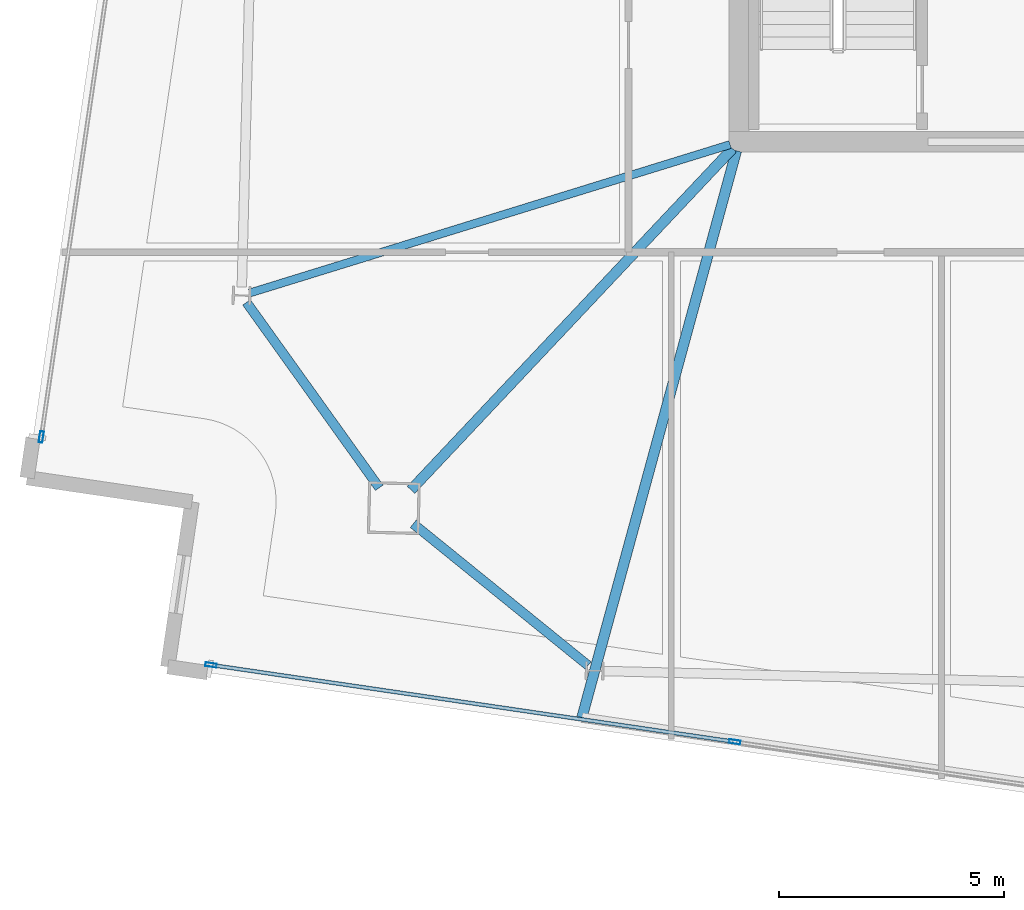
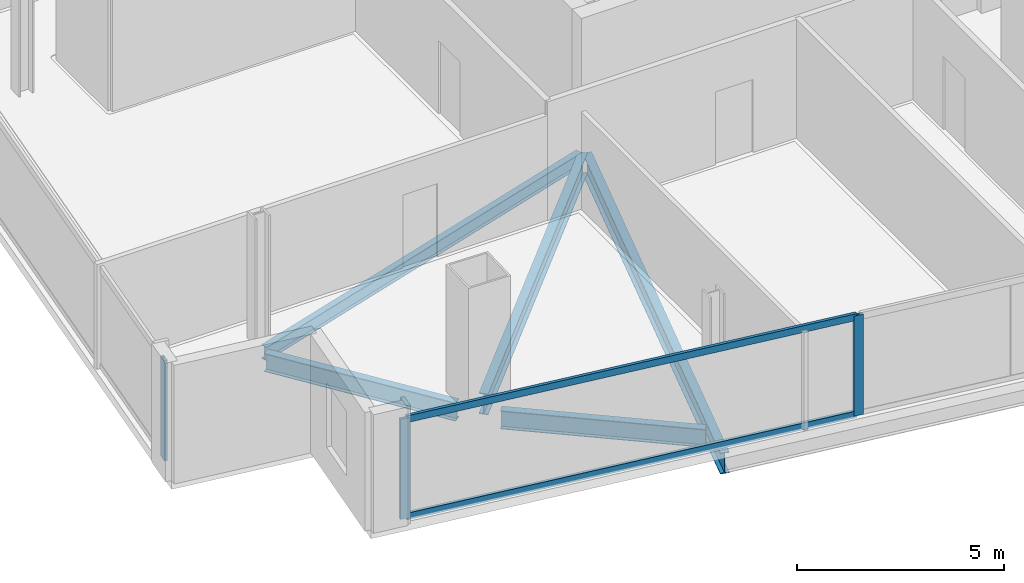
# One storey, part 2 of 22: 5 beams, 5 members, 2 elements without a shape of their own.
"""IFC4 building model written with IfcOpenShell, lengths in metres."""

from ifc_helpers import new_model, si_unit, direction, frame, origin, origin_2d, place, context, subcontext, project, spatial, hollow_rectangle, i_section, extrude, material, material_profile, profile_set, type_object, element, aggregate, save


model = new_model("IFC4")

# Units and contexts
model_context = context("Model", 3, precision=1e-05, world=origin(), true_north=direction((0.0, 1.0)))
body_context = subcontext(model_context, "Body", "Model", "MODEL_VIEW")
ifc_project = project(units=[si_unit("LENGTHUNIT", "METRE"), si_unit("AREAUNIT", "SQUARE_METRE"), si_unit("VOLUMEUNIT", "CUBIC_METRE"), si_unit("PLANEANGLEUNIT", "RADIAN"), si_unit("MASSUNIT", "GRAM", prefix="KILO")], contexts=[model_context])

# Site, building, storey
site_placement = place(None, origin())
site = spatial("IfcSite", under=ifc_project, at=site_placement, CompositionType="ELEMENT")
building_placement = place(site_placement, origin())
building = spatial("IfcBuilding", under=site, at=building_placement, Name="Haldenkirk Collegiate Tower", CompositionType="ELEMENT")
storey_placement = place(building_placement, frame((0.0, 0.0, 302.699951171875)))
storey = spatial("IfcBuildingStorey", under=building, at=storey_placement, Name="L76", CompositionType="ELEMENT", Elevation=302.699951171875)

# Beams
ifc_material_1 = material(Name="Steel ASTM A992 Grade 50", Category="steel")
ifc_material_profile_1 = material_profile(ifc_material_1, i_section(OverallWidth=0.22998046875, OverallDepth=0.616943359375, WebThickness=0.01318359375, FlangeThickness=0.022216796875, at=origin_2d()), Name="W24X94")
ifc_profile_set_1 = profile_set([ifc_material_profile_1], Name="Steel ASTM A992 Grade 50")
beam_type_1 = type_object("IfcBeamType", Name="BM-GIRDER-W24X94", PredefinedType="BEAM", material=ifc_profile_set_1)
beam_1_placement = place(storey_placement, frame((19.717041015625, 10.2705078125, -0.568359375), z_axis=(0.685767478835, 0.72782069562, 0.0), x_axis=(-0.72782069562, 0.685767478835, 0.0)))
element("IfcBeam", 1, at=beam_1_placement, inside=storey, type_object=beam_type_1, Name="L76 primary floor girder 04", PredefinedType="BEAM", context=body_context, shape_type="SweptSolid", body=[
    extrude(i_section(OverallWidth=0.22998046875, OverallDepth=0.616943359375, WebThickness=0.01318359375, FlangeThickness=0.022216796875, at=origin_2d()), origin(), (0.0, 0.0, 1.0), 10.4150390625),
])
beam_2_placement = place(storey_placement, frame((23.512939453125, 5.212890625, -0.568359375), z_axis=(0.263092076005, 0.964770729004, 0.0), x_axis=(-0.964770729004, 0.263092076005, 0.0)))
element("IfcBeam", 2, at=beam_2_placement, inside=storey, type_object=beam_type_1, Name="L76 primary floor girder 14", PredefinedType="BEAM", context=body_context, shape_type="SweptSolid", body=[
    extrude(i_section(OverallWidth=0.22998046875, OverallDepth=0.616943359375, WebThickness=0.01318359375, FlangeThickness=0.022216796875, at=origin_2d()), origin(), (0.0, 0.0, 1.0), 13.049072265625),
])
ifc_material_profile_2 = material_profile(ifc_material_1, i_section(OverallWidth=0.177978515625, OverallDepth=0.406005859375, WebThickness=0.0078125, FlangeThickness=0.0126953125, at=origin_2d()), Name="W16X40")
ifc_profile_set_2 = profile_set([ifc_material_profile_2], Name="Steel ASTM A992 Grade 50")
beam_type_2 = type_object("IfcBeamType", Name="BM-JOIST-W16X40", PredefinedType="JOIST", material=ifc_profile_set_2)
beam_3_placement = place(storey_placement, frame((16.134521484375, 14.64306640625, -0.462890625), z_axis=(0.955440875215, 0.295182543467, 0.0), x_axis=(-0.295182543467, 0.955440875215, 0.0)))
element("IfcBeam", 3, at=beam_3_placement, inside=storey, type_object=beam_type_2, Name="L76 composite floor joist 13", PredefinedType="JOIST", context=body_context, shape_type="SweptSolid", body=[
    extrude(i_section(OverallWidth=0.177978515625, OverallDepth=0.406005859375, WebThickness=0.0078125, FlangeThickness=0.0126953125, at=origin_2d()), origin(), (0.0, 0.0, 1.0), 11.167236328125),
])
ifc_material_profile_3 = material_profile(ifc_material_1, i_section(OverallWidth=0.2099609375, OverallDepth=0.537109375, WebThickness=0.010986328125, FlangeThickness=0.017333984375, at=origin_2d()), Name="W21X68")
ifc_profile_set_3 = profile_set([ifc_material_profile_3], Name="Steel ASTM A992 Grade 50")
beam_type_3 = type_object("IfcBeamType", Name="BM-SPANDREL-W21X68", PredefinedType="SPANDREL", material=ifc_profile_set_3)
beam_4_placement = place(storey_placement, frame((16.064208984375, 14.434814453125, -0.528564453125), z_axis=(0.582300220922, -0.812973832737, 0.0), x_axis=(0.812973832737, 0.582300220922, 0.0)))
element("IfcBeam", 4, at=beam_4_placement, inside=storey, type_object=beam_type_3, Name="L76 perimeter spandrel beam 12", PredefinedType="SPANDREL", context=body_context, shape_type="SweptSolid", body=[
    extrude(i_section(OverallWidth=0.2099609375, OverallDepth=0.537109375, WebThickness=0.010986328125, FlangeThickness=0.017333984375, at=origin_2d()), origin(), (0.0, 0.0, 1.0), 5.064453125),
])
beam_5_placement = place(storey_placement, frame((19.767578125, 9.51708984375, -0.528564453125), z_axis=(0.776950131303, -0.629562144247, 0.0), x_axis=(0.629562144247, 0.776950131303, 0.0)))
element("IfcBeam", 5, at=beam_5_placement, inside=storey, type_object=beam_type_3, Name="L76 perimeter spandrel beam 13", PredefinedType="SPANDREL", context=body_context, shape_type="SweptSolid", body=[
    extrude(i_section(OverallWidth=0.2099609375, OverallDepth=0.537109375, WebThickness=0.010986328125, FlangeThickness=0.017333984375, at=origin_2d()), origin(), (0.0, 0.0, 1.0), 4.99755859375),
])

# Curtain wall, member
ifc_material_2 = material(Name="Anodised architectural bronze aluminium", Category="aluminium")
curtain_wall_type = type_object("IfcCurtainWallType", Name="CW-SYS1B-CONVEX-HI", PredefinedType="USERDEFINED", material=ifc_material_2)
curtain_wall_1_placement = place(storey_placement, origin())
curtain_wall_1 = element("IfcCurtainWall", 6, at=curtain_wall_1_placement, inside=storey, type_object=curtain_wall_type, Name="L76 Upper tower high-wind convex bronze unitised curtain wall", ObjectType="UNITISED CURTAIN WALL", PredefinedType="USERDEFINED")
ifc_material_profile_4 = material_profile(ifc_material_2, hollow_rectangle(XDim=0.0849609375, YDim=0.25, WallThickness=0.0048828125, at=origin_2d()), Name="CW-MUL-1B")
ifc_profile_set_4 = profile_set([ifc_material_profile_4], Name="Anodised architectural bronze aluminium")
member_type_1 = type_object("IfcMemberType", Name="CW-MUL-1B", PredefinedType="MULLION", material=ifc_profile_set_4)
member_1_placement = place(storey_placement, frame((11.506591796875, 11.445068359375, 0.0), z_axis=(0.0, 0.0, 1.0), x_axis=(-0.989399423446, 0.145219767539, 0.0)))
member_1 = element("IfcMember", 7, at=member_1_placement, type_object=member_type_1, Name="CW-1B mullion 1", PredefinedType="MULLION", context=body_context, shape_type="SweptSolid", body=[
    extrude(hollow_rectangle(XDim=0.0849609375, YDim=0.25, WallThickness=0.0048828125, at=origin_2d()), origin(), (0.0, 0.0, 1.0), 2.947998046875),
])
aggregate(curtain_wall_1, [member_1])

# Curtain wall, members
curtain_wall_2_placement = place(storey_placement, origin())
curtain_wall_2 = element("IfcCurtainWall", 8, at=curtain_wall_2_placement, inside=storey, type_object=curtain_wall_type, Name="L76 Upper tower high-wind convex bronze unitised curtain wall", ObjectType="UNITISED CURTAIN WALL", PredefinedType="USERDEFINED")
member_2_placement = place(storey_placement, frame((26.90673828125, 4.674560546875, 0.0), z_axis=(0.0, 0.0, 1.0), x_axis=(-0.145220487627, -0.989399317755, 0.0)))
member_2 = element("IfcMember", 9, at=member_2_placement, type_object=member_type_1, Name="CW-1B mullion 3", PredefinedType="MULLION", context=body_context, shape_type="SweptSolid", body=[
    extrude(hollow_rectangle(XDim=0.0849609375, YDim=0.25, WallThickness=0.0048828125, at=origin_2d()), origin(), (0.0, 0.0, 1.0), 2.947998046875),
])
member_3_placement = place(storey_placement, frame((15.27392578125, 6.3818359375, 0.0), z_axis=(0.0, 0.0, 1.0), x_axis=(-0.145220487627, -0.989399317755, 0.0)))
member_3 = element("IfcMember", 10, at=member_3_placement, type_object=member_type_1, Name="CW-1B mullion 4", PredefinedType="MULLION", context=body_context, shape_type="SweptSolid", body=[
    extrude(hollow_rectangle(XDim=0.0849609375, YDim=0.25, WallThickness=0.0048828125, at=origin_2d()), origin(), (0.0, 0.0, 1.0), 2.947998046875),
])
ifc_material_profile_5 = material_profile(ifc_material_2, hollow_rectangle(XDim=0.0849609375, YDim=0.199951171875, WallThickness=0.0048828125, at=origin_2d()), Name="CW-TRN-1B")
ifc_profile_set_5 = profile_set([ifc_material_profile_5], Name="Anodised architectural bronze aluminium")
member_type_2 = type_object("IfcMemberType", Name="CW-TRN-1B", PredefinedType="USERDEFINED", material=ifc_profile_set_5)
member_4_placement = place(storey_placement, frame((26.86474609375, 4.6806640625, 0.04248046875), z_axis=(-0.989399653335, 0.145218201275, 0.0), x_axis=(-0.145218201275, -0.989399653335, 0.0)))
member_4 = element("IfcMember", 11, at=member_4_placement, type_object=member_type_2, Name="CW-1B transom 3.1", ObjectType="TRANSOM", PredefinedType="USERDEFINED", context=body_context, shape_type="SweptSolid", body=[
    extrude(hollow_rectangle(XDim=0.0849609375, YDim=0.199951171875, WallThickness=0.0048828125, at=origin_2d()), origin(), (0.0, 0.0, 1.0), 11.672607421875),
])
member_5_placement = place(storey_placement, frame((26.86474609375, 4.6806640625, 2.905517578125), z_axis=(-0.989399653335, 0.145218201275, 0.0), x_axis=(-0.145218201275, -0.989399653335, 0.0)))
member_5 = element("IfcMember", 12, at=member_5_placement, type_object=member_type_2, Name="CW-1B transom 3.2", ObjectType="TRANSOM", PredefinedType="USERDEFINED", context=body_context, shape_type="SweptSolid", body=[
    extrude(hollow_rectangle(XDim=0.0849609375, YDim=0.199951171875, WallThickness=0.0048828125, at=origin_2d()), origin(), (0.0, 0.0, 1.0), 11.672607421875),
])
aggregate(curtain_wall_2, [member_2, member_3, member_4, member_5])

save(model, "model.ifc")
